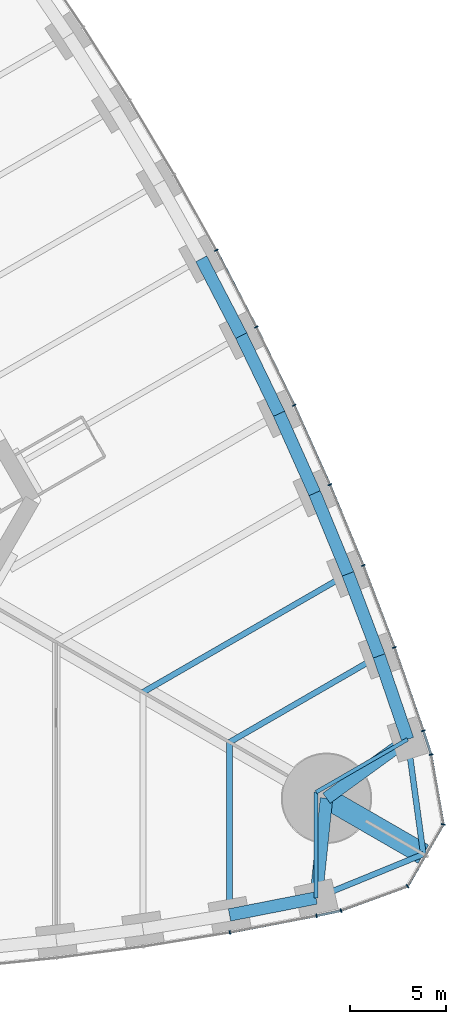
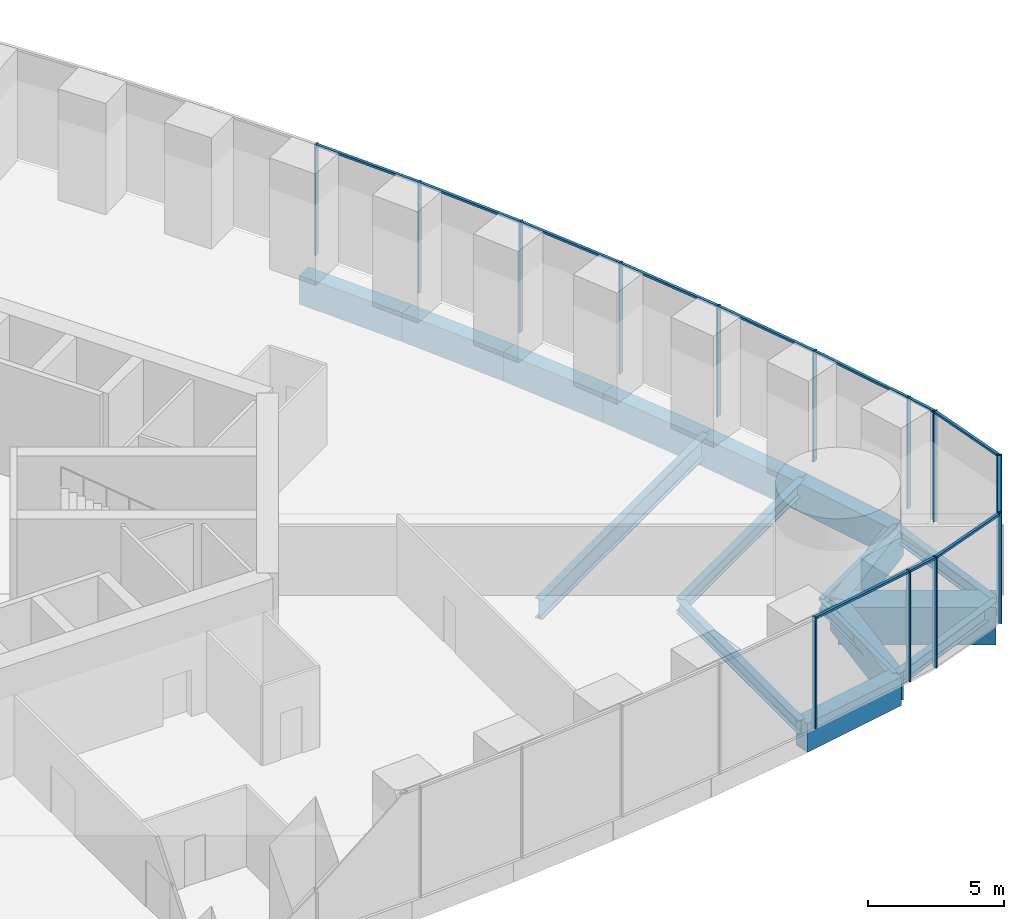
# One storey, part 11 of 21: 25 members, 17 beams, 3 elements without a shape of their own.
"""IFC4 building model written with IfcOpenShell, lengths in metres."""

import ifcopenshell
import ifcopenshell.guid

model = None  # the IFC model being written
_history = None  # IfcOwnerHistory: only IFC2X3 demands one
_inside = {}  # id of a spatial element -> (the spatial element, [elements in it])
_under = {}  # id of a project, library or spatial element -> (it, [spatial elements below it])
_declared = {}  # id of a project -> (the project, [libraries it declares])
_typed = {}  # id of a type object -> (the type object, [elements of that type])
_made_of = {}  # id of a material, layer set ... -> (it, [elements and type objects made of it])


def new_model(schema):
    """Start an empty IFC model of exactly this schema.

    Asked for "IFC4X3", IfcOpenShell would pick the latest addendum, in which some entities
    have other attributes; the version numbers below select the first issue.
    IFC2X3 requires an IfcOwnerHistory on every rooted entity: one is made here for all.
    """
    global model, _history
    if schema == "IFC4X3":
        model = ifcopenshell.file(schema_version=(4, 3, 0, 0))
    else:
        model = ifcopenshell.file(schema=schema)
    _inside.clear()
    _under.clear()
    _declared.clear()
    _typed.clear()
    _made_of.clear()
    _history = None
    if model.schema == "IFC2X3":
        org = make("IfcOrganization", Name="unknown")
        user = make(
            "IfcPersonAndOrganization",
            ThePerson=make("IfcPerson", FamilyName="unknown"),
            TheOrganization=org,
        )
        app = make(
            "IfcApplication",
            ApplicationDeveloper=org,
            Version="unknown",
            ApplicationFullName="unknown",
            ApplicationIdentifier="unknown",
        )
        _history = make(
            "IfcOwnerHistory",
            OwningUser=user,
            OwningApplication=app,
            ChangeAction="ADDED",
            CreationDate=0,
        )
    return model


def make(cls, **values):
    """One entity of the class cls with the attributes given. An attribute that is None is left unset."""
    return model.create_entity(
        cls, **{name: value for name, value in values.items() if value is not None}
    )


def rooted(cls, **values):
    """An entity with a GlobalId (a new one), such as an element, a storey or a relation."""
    return make(cls, GlobalId=ifcopenshell.guid.new(), OwnerHistory=_history, **values)


def si_unit(unit_type, name, prefix=None):
    """IfcSIUnit, for example si_unit("LENGTHUNIT", "METRE", prefix="MILLI")."""
    return make("IfcSIUnit", UnitType=unit_type, Prefix=prefix, Name=name)


def assignment(units):
    """IfcUnitAssignment: the units of a project."""
    return None if units is None else make("IfcUnitAssignment", Units=units)


def point(xyz):
    """IfcCartesianPoint."""
    return None if xyz is None else make("IfcCartesianPoint", Coordinates=xyz)


def direction(xyz):
    """IfcDirection."""
    return None if xyz is None else make("IfcDirection", DirectionRatios=xyz)


def frame(location, z_axis=None, x_axis=None):
    """IfcAxis2Placement3D, a coordinate frame: its origin and axes. An axis left out is left unset."""
    return make(
        "IfcAxis2Placement3D",
        Location=point(location),
        Axis=direction(z_axis),
        RefDirection=direction(x_axis),
    )


def frame_2d(location, x_axis=None):
    """IfcAxis2Placement2D, a coordinate frame in the plane: its origin and x axis."""
    return make(
        "IfcAxis2Placement2D", Location=point(location), RefDirection=direction(x_axis)
    )


def origin():
    """The frame at (0, 0, 0) with its axes left unset."""
    return frame((0.0, 0.0, 0.0))


def origin_2d():
    """The frame at (0, 0) in the plane with its x axis left unset."""
    return frame_2d((0.0, 0.0))


def place(relative_to, where):
    """IfcLocalPlacement: puts the frame where relative to a parent placement (None: the world)."""
    return make(
        "IfcLocalPlacement", PlacementRelTo=relative_to, RelativePlacement=where
    )


def context(
    kind, dimensions, precision=None, world=None, true_north=None, identifier=None
):
    """IfcGeometricRepresentationContext, for example the 3D "Model" context."""
    return make(
        "IfcGeometricRepresentationContext",
        ContextIdentifier=identifier,
        ContextType=kind,
        CoordinateSpaceDimension=dimensions,
        Precision=precision,
        WorldCoordinateSystem=world,
        TrueNorth=true_north,
    )


def subcontext(parent, identifier, kind, view, scale=None):
    """IfcGeometricRepresentationSubContext, for example "Body" below "Model"."""
    return make(
        "IfcGeometricRepresentationSubContext",
        ContextIdentifier=identifier,
        ContextType=kind,
        ParentContext=parent,
        TargetScale=scale,
        TargetView=view,
    )


def project(units=None, contexts=None):
    """IfcProject with its units and contexts."""
    return rooted(
        "IfcProject",
        Name="project",
        RepresentationContexts=contexts,
        UnitsInContext=assignment(units),
    )


def spatial(cls, under=None, at=None, **own):
    """A site, building, storey or space (cls), placed at a placement, below another one or the project."""
    s = rooted(cls, ObjectPlacement=at, **own)
    if under is not None:
        _under.setdefault(under.id(), (under, []))[1].append(s)
    return s


def profile(cls, at=None, kind="AREA", **sizes):
    """A parametric profile (cls). Its sizes go by their IFC names, for example OverallWidth=200.0."""
    return make(cls, ProfileType=kind, Position=at, **sizes)


def rectangle(**sizes):
    """IfcRectangleProfileDef."""
    return profile("IfcRectangleProfileDef", **sizes)


def i_section(**sizes):
    """IfcIShapeProfileDef."""
    return profile("IfcIShapeProfileDef", **sizes)


def extrude(swept, where, along, depth):
    """IfcExtrudedAreaSolid: the profile swept, set in the frame where, extruded along a direction by depth."""
    return make(
        "IfcExtrudedAreaSolid",
        SweptArea=swept,
        Position=where,
        ExtrudedDirection=direction(along),
        Depth=depth,
    )


def shape(context_of_items, identifier, shape_type, items):
    """IfcShapeRepresentation: the items that make up one representation, for example the "Body"."""
    return make(
        "IfcShapeRepresentation",
        ContextOfItems=context_of_items,
        RepresentationIdentifier=identifier,
        RepresentationType=shape_type,
        Items=items,
    )


def material(Name=None, Category=None):
    """IfcMaterial."""
    return make("IfcMaterial", Name=Name, Category=Category)


def material_profile(
    of_material, cross_section, Name=None, Category=None, Priority=None
):
    """IfcMaterialProfile: a cross section and its material."""
    return make(
        "IfcMaterialProfile",
        Name=Name,
        Material=of_material,
        Profile=cross_section,
        Priority=Priority,
        Category=Category,
    )


def profile_set(profiles, Name=None, composite=None):
    """IfcMaterialProfileSet."""
    return make(
        "IfcMaterialProfileSet",
        Name=Name,
        MaterialProfiles=profiles,
        CompositeProfile=composite,
    )


def made_of(thing, what):
    """Note that an element or type object is made of a material, layer set ...; save() writes the relation."""
    if what is not None:
        _made_of.setdefault(what.id(), (what, []))[1].append(thing)
    return thing


def type_object(cls, material=None, **own):
    """A type object (cls), such as IfcWallType, which elements share."""
    return made_of(rooted(cls, **own), material)


def element(
    cls,
    number,
    at=None,
    inside=None,
    cuts=None,
    type_object=None,
    material=None,
    context=None,
    identifier="Body",
    shape_type=None,
    held_by="IfcProductDefinitionShape",
    body=None,
    shapes=None,
    **own,
):
    """One element of the class cls, such as IfcWall. Its Tag is "e" and its number.

    at: its placement. inside: the storey or other place that contains it. cuts: it is an
    opening in that element (IfcRelVoidsElement). A single representation is given by context,
    identifier, shape_type and body (its items); several are given by shapes. held_by: the class
    of the entity that holds the representations. save() writes the other relations.
    """
    e = rooted(cls, Tag="e%d" % number, ObjectPlacement=at, **own)
    if body is not None:
        shapes = [shape(context, identifier, shape_type, body)]
    if shapes is not None:
        e.Representation = make(held_by, Representations=shapes)
    if inside is not None:
        _inside.setdefault(inside.id(), (inside, []))[1].append(e)
    if cuts is not None:
        rooted(
            "IfcRelVoidsElement", RelatingBuildingElement=cuts, RelatedOpeningElement=e
        )
    if type_object is not None:
        _typed.setdefault(type_object.id(), (type_object, []))[1].append(e)
    return made_of(e, material)


def aggregate(whole, parts):
    """IfcRelAggregates: a whole, such as a stair, and the parts it consists of."""
    return rooted("IfcRelAggregates", RelatingObject=whole, RelatedObjects=parts)


def save(model, path):
    """Write the relations noted so far, then the file.

    IfcRelAggregates (storeys below a building ...), IfcRelContainedInSpatialStructure (elements
    in a storey), IfcRelDefinesByType, IfcRelAssociatesMaterial and IfcRelDeclares: one each for
    every whole, place, type object, material and project.
    """
    for whole, parts in _under.values():
        aggregate(whole, parts)
    for where, things in _inside.values():
        rooted(
            "IfcRelContainedInSpatialStructure",
            RelatedElements=things,
            RelatingStructure=where,
        )
    for kind, things in _typed.values():
        rooted("IfcRelDefinesByType", RelatedObjects=things, RelatingType=kind)
    for what, things in _made_of.values():
        rooted("IfcRelAssociatesMaterial", RelatedObjects=things, RelatingMaterial=what)
    for by, libraries in _declared.values():
        rooted("IfcRelDeclares", RelatingContext=by, RelatedDefinitions=libraries)
    model.write(path)


model = new_model("IFC4")

# Units and contexts
model_context = context("Model", 3, precision=1e-05, world=origin(), true_north=direction((0.0, 1.0)))
body_context = subcontext(model_context, "Body", "Model", "MODEL_VIEW")
ifc_project = project(units=[si_unit("LENGTHUNIT", "METRE"), si_unit("AREAUNIT", "SQUARE_METRE"), si_unit("VOLUMEUNIT", "CUBIC_METRE"), si_unit("PLANEANGLEUNIT", "RADIAN"), si_unit("MASSUNIT", "GRAM", prefix="KILO")], contexts=[model_context])

# Site, building, storey
site_placement = place(None, origin())
site = spatial("IfcSite", under=ifc_project, at=site_placement, CompositionType="ELEMENT")
building_placement = place(site_placement, origin())
building = spatial("IfcBuilding", under=site, at=building_placement, Name="Trefoil Bronze Tower", CompositionType="ELEMENT")
storey_placement = place(building_placement, frame((0.0, 0.0, 6.5)))
storey = spatial("IfcBuildingStorey", under=building, at=storey_placement, Name="L01", CompositionType="ELEMENT", Elevation=6.5)

# Curtain wall, members
ifc_material_1 = material(Name="Tinted solar-control glass", Category="glass")
curtain_wall_type_1 = type_object("IfcCurtainWallType", Name="Bronze podium storefront curtain wall", PredefinedType="USERDEFINED", material=ifc_material_1)
curtain_wall_1_placement = place(storey_placement, origin())
curtain_wall_1 = element("IfcCurtainWall", 1, at=curtain_wall_1_placement, inside=storey, type_object=curtain_wall_type_1, Name="CW-C L01 F1", ObjectType="CURTAIN WALL", PredefinedType="USERDEFINED")
ifc_material_2 = material(Name="Bronze-finish aluminium", Category="aluminium")
ifc_material_profile_1 = material_profile(ifc_material_2, rectangle(XDim=0.199951171875, YDim=0.06005859375, at=origin_2d()), Name="CW-C mullion")
ifc_profile_set_1 = profile_set([ifc_material_profile_1], Name="Bronze-finish aluminium")
member_type_1 = type_object("IfcMemberType", Name="Bronze podium storefront curtain wall mullion", PredefinedType="MULLION", material=ifc_profile_set_1)
member_1_placement = place(storey_placement, frame((27.017333984375, -25.478759765625, 0.0), z_axis=(0.0, 0.0, 1.0), x_axis=(-0.174131146426, 0.984722470468, 0.0)))
member_1 = element("IfcMember", 2, at=member_1_placement, type_object=member_type_1, Name="CW-C L01 F1 mullion 15", PredefinedType="MULLION", context=body_context, shape_type="SweptSolid", body=[
    extrude(rectangle(XDim=0.199951171875, YDim=0.06005859375, at=origin_2d()), origin(), (0.0, 0.0, 1.0), 4.97998046875),
])
member_2_placement = place(storey_placement, frame((31.519775390625, -24.614013671875, 0.0), z_axis=(0.0, 0.0, 1.0), x_axis=(-0.197910006829, 0.98022019424, 0.0)))
member_2 = element("IfcMember", 3, at=member_2_placement, type_object=member_type_1, Name="CW-C L01 F1 mullion 16", PredefinedType="MULLION", context=body_context, shape_type="SweptSolid", body=[
    extrude(rectangle(XDim=0.199951171875, YDim=0.06005859375, at=origin_2d()), origin(), (0.0, 0.0, 1.0), 4.97998046875),
])

curtain_wall_2_placement = place(storey_placement, origin())
curtain_wall_2 = element("IfcCurtainWall", 4, at=curtain_wall_2_placement, inside=storey, type_object=curtain_wall_type_1, Name="CW-C L01 F2", ObjectType="CURTAIN WALL", PredefinedType="USERDEFINED")
member_3_placement = place(storey_placement, frame((37.076416015625, -14.989990234375, 0.0), z_axis=(0.0, 0.0, 1.0), x_axis=(-0.947850592929, -0.318715003543, 0.0)))
member_3 = element("IfcMember", 5, at=member_3_placement, type_object=member_type_1, Name="CW-C L01 F2 mullion 2", PredefinedType="MULLION", context=body_context, shape_type="SweptSolid", body=[
    extrude(rectangle(XDim=0.199951171875, YDim=0.06005859375, at=origin_2d()), origin(), (0.0, 0.0, 1.0), 4.97998046875),
])
member_4_placement = place(storey_placement, frame((35.573974609375, -10.658447265625, 0.0), z_axis=(0.0, 0.0, 1.0), x_axis=(-0.939860248316, -0.341559238839, 0.0)))
member_4 = element("IfcMember", 6, at=member_4_placement, type_object=member_type_1, Name="CW-C L01 F2 mullion 3", PredefinedType="MULLION", context=body_context, shape_type="SweptSolid", body=[
    extrude(rectangle(XDim=0.199951171875, YDim=0.06005859375, at=origin_2d()), origin(), (0.0, 0.0, 1.0), 4.97998046875),
])
member_5_placement = place(storey_placement, frame((33.953125, -6.394775390625, 0.0), z_axis=(0.0, 0.0, 1.0), x_axis=(-0.929413605838, -0.369039766534, 0.0)))
member_5 = element("IfcMember", 7, at=member_5_placement, type_object=member_type_1, Name="CW-C L01 F2 mullion 4", PredefinedType="MULLION", context=body_context, shape_type="SweptSolid", body=[
    extrude(rectangle(XDim=0.199951171875, YDim=0.06005859375, at=origin_2d()), origin(), (0.0, 0.0, 1.0), 4.97998046875),
])
member_6_placement = place(storey_placement, frame((32.21533203125, -2.198486328125, 0.0), z_axis=(0.0, 0.0, 1.0), x_axis=(-0.918213748442, -0.396085233469, 0.0)))
member_6 = element("IfcMember", 8, at=member_6_placement, type_object=member_type_1, Name="CW-C L01 F2 mullion 5", PredefinedType="MULLION", context=body_context, shape_type="SweptSolid", body=[
    extrude(rectangle(XDim=0.199951171875, YDim=0.06005859375, at=origin_2d()), origin(), (0.0, 0.0, 1.0), 4.97998046875),
])
member_7_placement = place(storey_placement, frame((30.36181640625, 1.930908203125, 0.0), z_axis=(0.0, 0.0, 1.0), x_axis=(-0.906269346572, -0.422700687798, 0.0)))
member_7 = element("IfcMember", 9, at=member_7_placement, type_object=member_type_1, Name="CW-C L01 F2 mullion 6", PredefinedType="MULLION", context=body_context, shape_type="SweptSolid", body=[
    extrude(rectangle(XDim=0.199951171875, YDim=0.06005859375, at=origin_2d()), origin(), (0.0, 0.0, 1.0), 4.97998046875),
])
member_8_placement = place(storey_placement, frame((28.39404296875, 5.994384765625, 0.0), z_axis=(0.0, 0.0, 1.0), x_axis=(-0.893587025891, -0.448889994497, 0.0)))
member_8 = element("IfcMember", 10, at=member_8_placement, type_object=member_type_1, Name="CW-C L01 F2 mullion 7", PredefinedType="MULLION", context=body_context, shape_type="SweptSolid", body=[
    extrude(rectangle(XDim=0.199951171875, YDim=0.06005859375, at=origin_2d()), origin(), (0.0, 0.0, 1.0), 4.97998046875),
])
member_9_placement = place(storey_placement, frame((26.3125, 9.991943359375, 0.0), z_axis=(0.0, 0.0, 1.0), x_axis=(-0.880171454588, -0.474655886437, 0.0)))
member_9 = element("IfcMember", 11, at=member_9_placement, type_object=member_type_1, Name="CW-C L01 F2 mullion 8", PredefinedType="MULLION", context=body_context, shape_type="SweptSolid", body=[
    extrude(rectangle(XDim=0.199951171875, YDim=0.06005859375, at=origin_2d()), origin(), (0.0, 0.0, 1.0), 4.97998046875),
])

# Member
ifc_material_3 = material(Name="Bronze-finish aluminium", Category="aluminium")
ifc_material_profile_2 = material_profile(ifc_material_3, rectangle(XDim=0.1201171875, YDim=0.10009765625, at=origin_2d()), Name="CW-C transom")
ifc_profile_set_2 = profile_set([ifc_material_profile_2], Name="Bronze-finish aluminium")
member_type_2 = type_object("IfcMemberType", Name="Bronze podium storefront curtain wall transom", PredefinedType="USERDEFINED", material=ifc_profile_set_2)
member_10_placement = place(storey_placement, frame((27.04833984375, -25.472900390625, 4.929931640625), z_axis=(0.982049163512, 0.18862513206, 0.0), x_axis=(-0.18862513206, 0.982049163512, 0.0)))
member_10 = element("IfcMember", 12, at=member_10_placement, type_object=member_type_2, Name="CW-C L01 F1 transom 15", ObjectType="TRANSOM", PredefinedType="USERDEFINED", context=body_context, shape_type="SweptSolid", body=[
    extrude(rectangle(XDim=0.1201171875, YDim=0.10009765625, at=origin_2d()), origin(), (0.0, 0.0, 1.0), 4.5224609375),
])

member_11_placement = place(storey_placement, frame((31.550048828125, -24.607666015625, 4.929931640625), z_axis=(0.978304864549, 0.207170441905, 0.0), x_axis=(-0.207170441905, 0.978304864549, 0.0)))
member_11 = element("IfcMember", 13, at=member_11_placement, type_object=member_type_2, Name="CW-C L01 F1 transom 16", ObjectType="TRANSOM", PredefinedType="USERDEFINED", context=body_context, shape_type="SweptSolid", body=[
    extrude(rectangle(XDim=0.1201171875, YDim=0.10009765625, at=origin_2d()), origin(), (0.0, 0.0, 1.0), 1.230224609375),
])

aggregate(curtain_wall_1, [member_1, member_2, member_10, member_11])

member_12_placement = place(storey_placement, frame((37.467041015625, -16.189208984375, 4.929931640625), z_axis=(-0.309732068556, 0.950823877334, 0.0), x_axis=(-0.950823877334, -0.309732068556, 0.0)))
member_12 = element("IfcMember", 14, at=member_12_placement, type_object=member_type_2, Name="CW-C L01 F2 transom 1", ObjectType="TRANSOM", PredefinedType="USERDEFINED", context=body_context, shape_type="SweptSolid", body=[
    extrude(rectangle(XDim=0.1201171875, YDim=0.10009765625, at=origin_2d()), origin(), (0.0, 0.0, 1.0), 1.23046875),
])

member_13_placement = place(storey_placement, frame((37.066162109375, -14.960693359375, 4.929931640625), z_axis=(-0.327638958875, 0.944803002021, 0.0), x_axis=(-0.944803002021, -0.327638958875, 0.0)))
member_13 = element("IfcMember", 15, at=member_13_placement, type_object=member_type_2, Name="CW-C L01 F2 transom 2", ObjectType="TRANSOM", PredefinedType="USERDEFINED", context=body_context, shape_type="SweptSolid", body=[
    extrude(rectangle(XDim=0.1201171875, YDim=0.10009765625, at=origin_2d()), origin(), (0.0, 0.0, 1.0), 4.522216796875),
])

member_14_placement = place(storey_placement, frame((35.562744140625, -10.62890625, 4.929931640625), z_axis=(-0.355324938334, 0.934742846026, 0.0), x_axis=(-0.934742846026, -0.355324938334, 0.0)))
member_14 = element("IfcMember", 16, at=member_14_placement, type_object=member_type_2, Name="CW-C L01 F2 transom 3", ObjectType="TRANSOM", PredefinedType="USERDEFINED", context=body_context, shape_type="SweptSolid", body=[
    extrude(rectangle(XDim=0.1201171875, YDim=0.10009765625, at=origin_2d()), origin(), (0.0, 0.0, 1.0), 4.498291015625),
])

member_15_placement = place(storey_placement, frame((33.94091796875, -6.36572265625, 4.929931640625), z_axis=(-0.382594106546, 0.923916527418, 0.0), x_axis=(-0.923916527418, -0.382594106546, 0.0)))
member_15 = element("IfcMember", 17, at=member_15_placement, type_object=member_type_2, Name="CW-C L01 F2 transom 4", ObjectType="TRANSOM", PredefinedType="USERDEFINED", context=body_context, shape_type="SweptSolid", body=[
    extrude(rectangle(XDim=0.1201171875, YDim=0.10009765625, at=origin_2d()), origin(), (0.0, 0.0, 1.0), 4.47900390625),
])

member_16_placement = place(storey_placement, frame((32.202392578125, -2.169921875, 4.929931640625), z_axis=(-0.409454767225, 0.91233041909, 0.0), x_axis=(-0.91233041909, -0.409454767225, 0.0)))
member_16 = element("IfcMember", 18, at=member_16_placement, type_object=member_type_2, Name="CW-C L01 F2 transom 5", ObjectType="TRANSOM", PredefinedType="USERDEFINED", context=body_context, shape_type="SweptSolid", body=[
    extrude(rectangle(XDim=0.1201171875, YDim=0.10009765625, at=origin_2d()), origin(), (0.0, 0.0, 1.0), 4.463623046875),
])

member_17_placement = place(storey_placement, frame((30.34814453125, 1.959228515625, 4.929931640625), z_axis=(-0.435859049912, 0.900014937992, 0.0), x_axis=(-0.900014937992, -0.435859049912, 0.0)))
member_17 = element("IfcMember", 19, at=member_17_placement, type_object=member_type_2, Name="CW-C L01 F2 transom 6", ObjectType="TRANSOM", PredefinedType="USERDEFINED", context=body_context, shape_type="SweptSolid", body=[
    extrude(rectangle(XDim=0.1201171875, YDim=0.10009765625, at=origin_2d()), origin(), (0.0, 0.0, 1.0), 4.451904296875),
])

member_18_placement = place(storey_placement, frame((28.379638671875, 6.022216796875, 4.929931640625), z_axis=(-0.461831786888, 0.886967530759, 0.0), x_axis=(-0.886967530759, -0.461831786888, 0.0)))
member_18 = element("IfcMember", 20, at=member_18_placement, type_object=member_type_2, Name="CW-C L01 F2 transom 7", ObjectType="TRANSOM", PredefinedType="USERDEFINED", context=body_context, shape_type="SweptSolid", body=[
    extrude(rectangle(XDim=0.1201171875, YDim=0.10009765625, at=origin_2d()), origin(), (0.0, 0.0, 1.0), 4.4443359375),
])

aggregate(curtain_wall_2, [member_3, member_4, member_5, member_6, member_7, member_8, member_9, member_12, member_13, member_14, member_15, member_16, member_17, member_18])

# Curtain wall, members
ifc_material_4 = material(Name="Tinted solar-control glass", Category="glass")
curtain_wall_type_2 = type_object("IfcCurtainWallType", Name="Bronze rounded corner curtain wall", PredefinedType="USERDEFINED", material=ifc_material_4)
curtain_wall_3_placement = place(storey_placement, origin())
curtain_wall_3 = element("IfcCurtainWall", 21, at=curtain_wall_3_placement, inside=storey, type_object=curtain_wall_type_2, Name="CW-B L01 K1", ObjectType="CURTAIN WALL", PredefinedType="USERDEFINED")
ifc_material_5 = material(Name="Bronze-finish aluminium", Category="aluminium")
ifc_material_profile_3 = material_profile(ifc_material_5, rectangle(XDim=0.199951171875, YDim=0.06005859375, at=origin_2d()), Name="CW-B mullion")
ifc_profile_set_3 = profile_set([ifc_material_profile_3], Name="Bronze-finish aluminium")
member_type_3 = type_object("IfcMemberType", Name="Bronze rounded corner curtain wall mullion", PredefinedType="MULLION", material=ifc_profile_set_3)
member_19_placement = place(storey_placement, frame((32.796630859375, -24.3427734375, 0.0), z_axis=(0.0, 0.0, 1.0), x_axis=(-0.342020143326, 0.939692620786, 0.0)))
member_19 = element("IfcMember", 22, at=member_19_placement, type_object=member_type_3, Name="CW-B L01 K1 mullion 1", PredefinedType="MULLION", context=body_context, shape_type="SweptSolid", body=[
    extrude(rectangle(XDim=0.199951171875, YDim=0.06005859375, at=origin_2d()), origin(), (0.0, 0.0, 1.0), 4.97998046875),
])
member_20_placement = place(storey_placement, frame((36.2548828125, -23.07763671875, 0.0), z_axis=(0.0, 0.0, 1.0), x_axis=(-0.642787609687, 0.766044443119, 0.0)))
member_20 = element("IfcMember", 23, at=member_20_placement, type_object=member_type_3, Name="CW-B L01 K1 mullion 2", PredefinedType="MULLION", context=body_context, shape_type="SweptSolid", body=[
    extrude(rectangle(XDim=0.199951171875, YDim=0.06005859375, at=origin_2d()), origin(), (0.0, 0.0, 1.0), 4.97998046875),
])
member_21_placement = place(storey_placement, frame((38.11328125, -19.85888671875, 0.0), z_axis=(0.0, 0.0, 1.0), x_axis=(-0.984807753012, 0.173648177667, 0.0)))
member_21 = element("IfcMember", 24, at=member_21_placement, type_object=member_type_3, Name="CW-B L01 K1 mullion 3", PredefinedType="MULLION", context=body_context, shape_type="SweptSolid", body=[
    extrude(rectangle(XDim=0.199951171875, YDim=0.06005859375, at=origin_2d()), origin(), (0.0, 0.0, 1.0), 4.97998046875),
])
member_22_placement = place(storey_placement, frame((37.479736328125, -16.2314453125, 0.0), z_axis=(0.0, 0.0, 1.0), x_axis=(-0.984807753012, -0.173648177667, 0.0)))
member_22 = element("IfcMember", 25, at=member_22_placement, type_object=member_type_3, Name="CW-B L01 K1 mullion 4", PredefinedType="MULLION", context=body_context, shape_type="SweptSolid", body=[
    extrude(rectangle(XDim=0.199951171875, YDim=0.06005859375, at=origin_2d()), origin(), (0.0, 0.0, 1.0), 4.97998046875),
])
ifc_material_6 = material(Name="Bronze-finish aluminium", Category="aluminium")
ifc_material_profile_4 = material_profile(ifc_material_6, rectangle(XDim=0.1201171875, YDim=0.10009765625, at=origin_2d()), Name="CW-B transom")
ifc_profile_set_4 = profile_set([ifc_material_profile_4], Name="Bronze-finish aluminium")
member_type_4 = type_object("IfcMemberType", Name="Bronze rounded corner curtain wall transom", PredefinedType="USERDEFINED", material=ifc_profile_set_4)
member_23_placement = place(storey_placement, frame((32.82470703125, -24.33251953125, 4.929931640625), z_axis=(0.939688092095, 0.342032585545, 0.0), x_axis=(-0.342032585545, 0.939688092095, 0.0)))
member_23 = element("IfcMember", 26, at=member_23_placement, type_object=member_type_4, Name="CW-B L01 K1 transom 1", ObjectType="TRANSOM", PredefinedType="USERDEFINED", context=body_context, shape_type="SweptSolid", body=[
    extrude(rectangle(XDim=0.1201171875, YDim=0.10009765625, at=origin_2d()), origin(), (0.0, 0.0, 1.0), 3.588134765625),
])
member_24_placement = place(storey_placement, frame((36.292236328125, -23.02490234375, 4.929931640625), z_axis=(0.500024788772, 0.866011091507, 0.0), x_axis=(-0.866011091507, 0.500024788772, 0.0)))
member_24 = element("IfcMember", 27, at=member_24_placement, type_object=member_type_4, Name="CW-B L01 K1 transom 2", ObjectType="TRANSOM", PredefinedType="USERDEFINED", context=body_context, shape_type="SweptSolid", body=[
    extrude(rectangle(XDim=0.1201171875, YDim=0.10009765625, at=origin_2d()), origin(), (0.0, 0.0, 1.0), 3.588134765625),
])
member_25_placement = place(storey_placement, frame((38.10791015625, -19.794677734375, 4.929931640625), z_axis=(-0.17363783606, 0.984809576461, 0.0), x_axis=(-0.984809576461, -0.17363783606, 0.0)))
member_25 = element("IfcMember", 28, at=member_25_placement, type_object=member_type_4, Name="CW-B L01 K1 transom 3", ObjectType="TRANSOM", PredefinedType="USERDEFINED", context=body_context, shape_type="SweptSolid", body=[
    extrude(rectangle(XDim=0.1201171875, YDim=0.10009765625, at=origin_2d()), origin(), (0.0, 0.0, 1.0), 3.588134765625),
])
aggregate(curtain_wall_3, [member_19, member_20, member_21, member_22, member_23, member_24, member_25])

# Beams
ifc_material_7 = material(Name="Concrete B80", Category="concrete")
ifc_material_profile_5 = material_profile(ifc_material_7, rectangle(XDim=1.10009765625, YDim=1.699951171875, at=origin_2d()), Name="RC 1100x1700")
ifc_profile_set_5 = profile_set([ifc_material_profile_5], Name="Concrete B80")
beam_type_1 = type_object("IfcBeamType", Name="Corner cantilever RC 1100x1700", PredefinedType="BEAM", material=ifc_profile_set_5)
beam_1_placement = place(storey_placement, frame((32.04296875, -18.5, -1.050048828125), z_axis=(0.866030348588, -0.499991435252, 0.0), x_axis=(0.499991435252, 0.866030348588, 0.0)))
element("IfcBeam", 29, at=beam_1_placement, inside=storey, type_object=beam_type_1, Name="Corner cantilever K1 L01", PredefinedType="BEAM", context=body_context, shape_type="SweptSolid", body=[
    extrude(rectangle(XDim=1.10009765625, YDim=1.699951171875, at=origin_2d()), origin(), (0.0, 0.0, 1.0), 5.81396484375),
])
ifc_material_8 = material(Name="Steel C355", Category="steel")
ifc_material_profile_6 = material_profile(ifc_material_8, i_section(OverallWidth=0.300048828125, OverallDepth=0.60009765625, WebThickness=0.015380859375, FlangeThickness=0.030029296875, FilletRadius=0.027099609375, at=origin_2d()), Name="HEB 600")
ifc_profile_set_6 = profile_set([ifc_material_profile_6], Name="Steel C355")
beam_type_2 = type_object("IfcBeamType", Name="Corner edge beam HEB 600", PredefinedType="BEAM", material=ifc_profile_set_6)
beam_2_placement = place(storey_placement, frame((31.5, -23.684814453125, -0.5), z_axis=(0.925786874353, 0.378045848114, 0.0), x_axis=(-0.378045848114, 0.925786874353, 0.0)))
element("IfcBeam", 30, at=beam_2_placement, inside=storey, type_object=beam_type_2, Name="Corner edge beam F1A L01", PredefinedType="BEAM", context=body_context, shape_type="SweptSolid", body=[
    extrude(i_section(OverallWidth=0.300048828125, OverallDepth=0.60009765625, WebThickness=0.015380859375, FlangeThickness=0.030029296875, FilletRadius=0.027099609375, at=origin_2d()), origin(), (0.0, 0.0, 1.0), 6.025390625),
])
beam_3_placement = place(storey_placement, frame((36.26171875, -15.4375, -0.5), z_axis=(0.13550196505, -0.990777077585, 0.0), x_axis=(0.990777077585, 0.13550196505, 0.0)))
element("IfcBeam", 31, at=beam_3_placement, inside=storey, type_object=beam_type_2, Name="Corner edge beam F2B L01", PredefinedType="BEAM", context=body_context, shape_type="SweptSolid", body=[
    extrude(i_section(OverallWidth=0.300048828125, OverallDepth=0.60009765625, WebThickness=0.015380859375, FlangeThickness=0.030029296875, FilletRadius=0.027099609375, at=origin_2d()), origin(), (0.0, 0.0, 1.0), 6.025146484375),
])
ifc_material_9 = material(Name="Concrete B80", Category="concrete")
ifc_material_profile_7 = material_profile(ifc_material_9, rectangle(XDim=0.64990234375, YDim=1.300048828125, at=origin_2d()), Name="RC 650x1300")
ifc_profile_set_7 = profile_set([ifc_material_profile_7], Name="Concrete B80")
beam_type_3 = type_object("IfcBeamType", Name="End spandrel beam RC 650x1300", PredefinedType="SPANDREL", material=ifc_profile_set_7)
for number, where, z_axis, x_axis, name in (
    (32, (31.5, -23.684814453125, -0.85009765625), (0.104153327908, 0.994561252154, 0.0), (-0.994561252154, 0.104153327908, 0.0), "Spandrel F1.16 L01"),
    (33, (32.04296875, -18.5, -0.85009765625), (0.809254211267, 0.587458612624, 0.0), (-0.587458612624, 0.809254211267, 0.0), "Spandrel F2.1 L01"),
):
    element("IfcBeam", number, at=place(storey_placement, frame(where, z_axis=z_axis, x_axis=x_axis)), inside=storey, type_object=beam_type_3, Name=name, PredefinedType="SPANDREL", context=body_context, shape_type="SweptSolid", body=[
        extrude(rectangle(XDim=0.64990234375, YDim=1.300048828125, at=origin_2d()), origin(), (0.0, 0.0, 1.0), 5.213134765625),
    ])
ifc_material_10 = material(Name="Steel C355", Category="steel")
ifc_material_profile_8 = material_profile(ifc_material_10, i_section(OverallWidth=0.300048828125, OverallDepth=0.60009765625, WebThickness=0.015380859375, FlangeThickness=0.030029296875, FilletRadius=0.027099609375, at=origin_2d()), Name="HEB 600")
ifc_profile_set_8 = profile_set([ifc_material_profile_8], Name="Steel C355")
beam_type_4 = type_object("IfcBeamType", Name="Floor beam HEB 600", PredefinedType="BEAM", material=ifc_profile_set_8)
for number, where, z_axis, x_axis, name in (
    (34, (27.0, -24.56787109375, -0.5), (0.0, 1.0, 0.0), (-1.0, 0.0, 0.0), "Floor beam F1/+6 L01"),
    (35, (34.7763671875, -11.0986328125, -0.5), (-0.866022587327, -0.500004878216, 0.0), (0.500004878216, -0.866022587327, 0.0), "Floor beam F2/-6 L01"),
):
    element("IfcBeam", number, at=place(storey_placement, frame(where, z_axis=z_axis, x_axis=x_axis)), inside=storey, type_object=beam_type_4, Name=name, PredefinedType="BEAM", context=body_context, shape_type="SweptSolid", body=[
        extrude(i_section(OverallWidth=0.300048828125, OverallDepth=0.60009765625, WebThickness=0.015380859375, FlangeThickness=0.030029296875, FilletRadius=0.027099609375, at=origin_2d()), origin(), (0.0, 0.0, 1.0), 8.9794921875),
    ])
ifc_material_11 = material(Name="Steel C355", Category="steel")
ifc_material_profile_9 = material_profile(ifc_material_11, i_section(OverallWidth=0.300048828125, OverallDepth=0.89990234375, WebThickness=0.0185546875, FlangeThickness=0.034912109375, FilletRadius=0.030029296875, at=origin_2d()), Name="HEB 900")
ifc_profile_set_9 = profile_set([ifc_material_profile_9], Name="Steel C355")
beam_type_5 = type_object("IfcBeamType", Name="Floor beam HEB 900", PredefinedType="BEAM", material=ifc_profile_set_9)
beam_4_placement = place(storey_placement, frame((33.159912109375, -6.8359375, -0.64990234375), z_axis=(-0.866024070878, -0.500002308654, 0.0), x_axis=(0.500002308654, -0.866024070878, 0.0)))
element("IfcBeam", 36, at=beam_4_placement, inside=storey, type_object=beam_type_5, Name="Floor beam F2/-5 L01", PredefinedType="BEAM", context=body_context, shape_type="SweptSolid", body=[
    extrude(i_section(OverallWidth=0.300048828125, OverallDepth=0.89990234375, WebThickness=0.0185546875, FlangeThickness=0.034912109375, FilletRadius=0.030029296875, at=origin_2d()), origin(), (0.0, 0.0, 1.0), 12.30908203125),
])
ifc_material_12 = material(Name="Steel C355", Category="steel")
ifc_material_profile_10 = material_profile(ifc_material_12, i_section(OverallWidth=0.199951171875, OverallDepth=0.5, WebThickness=0.01025390625, FlangeThickness=0.01611328125, FilletRadius=0.02099609375, at=origin_2d()), Name="IPE 500")
ifc_profile_set_10 = profile_set([ifc_material_profile_10], Name="Steel C355")
beam_type_6 = type_object("IfcBeamType", Name="Floor beam IPE 500", PredefinedType="BEAM", material=ifc_profile_set_10)
for number, where, z_axis, x_axis, name in (
    (37, (31.5, -23.684814453125, -0.449951171875), (0.0, 1.0, 0.0), (-1.0, 0.0, 0.0), "Floor beam F1/+7 L01"),
    (38, (36.26171875, -15.4375, -0.449951171875), (-0.866037702141, -0.499978698016, 0.0), (0.499978698016, -0.866037702141, 0.0), "Floor beam F2/-7 L01"),
):
    element("IfcBeam", number, at=place(storey_placement, frame(where, z_axis=z_axis, x_axis=x_axis)), inside=storey, type_object=beam_type_6, Name=name, PredefinedType="BEAM", context=body_context, shape_type="SweptSolid", body=[
        extrude(i_section(OverallWidth=0.199951171875, OverallDepth=0.5, WebThickness=0.01025390625, FlangeThickness=0.01611328125, FilletRadius=0.02099609375, at=origin_2d()), origin(), (0.0, 0.0, 1.0), 5.498291015625),
    ])
ifc_material_13 = material(Name="Concrete B80", Category="concrete")
ifc_material_profile_11 = material_profile(ifc_material_13, rectangle(XDim=0.64990234375, YDim=1.300048828125, at=origin_2d()), Name="RC 650x1300")
ifc_profile_set_11 = profile_set([ifc_material_profile_11], Name="Concrete B80")
beam_type_7 = type_object("IfcBeamType", Name="Spandrel beam RC 650x1300", PredefinedType="SPANDREL", material=ifc_profile_set_11)
beam_5_placement = place(storey_placement, frame((27.0, -24.56787109375, -0.85009765625), z_axis=(0.981284764092, 0.192562228283, 0.0), x_axis=(-0.192562228283, 0.981284764092, 0.0)))
element("IfcBeam", 39, at=beam_5_placement, inside=storey, type_object=beam_type_7, Name="Spandrel F1.15 L01", PredefinedType="SPANDREL", context=body_context, shape_type="SweptSolid", body=[
    extrude(rectangle(XDim=0.64990234375, YDim=1.300048828125, at=origin_2d()), origin(), (0.0, 0.0, 1.0), 4.5859375),
])
beam_6_placement = place(storey_placement, frame((36.26171875, -15.4375, -0.85009765625), z_axis=(-0.323883319148, 0.946097032855, 0.0), x_axis=(-0.946097032855, -0.323883319148, 0.0)))
element("IfcBeam", 40, at=beam_6_placement, inside=storey, type_object=beam_type_7, Name="Spandrel F2.2 L01", PredefinedType="SPANDREL", context=body_context, shape_type="SweptSolid", body=[
    extrude(rectangle(XDim=0.64990234375, YDim=1.300048828125, at=origin_2d()), origin(), (0.0, 0.0, 1.0), 4.586181640625),
])
beam_7_placement = place(storey_placement, frame((34.7763671875, -11.0986328125, -0.85009765625), z_axis=(-0.354571899767, 0.935028752443, 0.0), x_axis=(-0.935028752443, -0.354571899767, 0.0)))
element("IfcBeam", 41, at=beam_7_placement, inside=storey, type_object=beam_type_7, Name="Spandrel F2.3 L01", PredefinedType="SPANDREL", context=body_context, shape_type="SweptSolid", body=[
    extrude(rectangle(XDim=0.64990234375, YDim=1.300048828125, at=origin_2d()), origin(), (0.0, 0.0, 1.0), 4.558837890625),
])
beam_8_placement = place(storey_placement, frame((33.159912109375, -6.8359375, -0.85009765625), z_axis=(-0.382020825144, 0.924153715113, 0.0), x_axis=(-0.924153715113, -0.382020825144, 0.0)))
element("IfcBeam", 42, at=beam_8_placement, inside=storey, type_object=beam_type_7, Name="Spandrel F2.4 L01", PredefinedType="SPANDREL", context=body_context, shape_type="SweptSolid", body=[
    extrude(rectangle(XDim=0.64990234375, YDim=1.300048828125, at=origin_2d()), origin(), (0.0, 0.0, 1.0), 4.539306640625),
])
beam_9_placement = place(storey_placement, frame((31.42578125, -2.640869140625, -0.85009765625), z_axis=(-0.408945873044, 0.912558640812, 0.0), x_axis=(-0.912558640812, -0.408945873044, 0.0)))
element("IfcBeam", 43, at=beam_9_placement, inside=storey, type_object=beam_type_7, Name="Spandrel F2.5 L01", PredefinedType="SPANDREL", context=body_context, shape_type="SweptSolid", body=[
    extrude(rectangle(XDim=0.64990234375, YDim=1.300048828125, at=origin_2d()), origin(), (0.0, 0.0, 1.0), 4.5234375),
])
beam_10_placement = place(storey_placement, frame((29.575927734375, 1.487060546875, -0.85009765625), z_axis=(-0.435510013583, 0.900183885697, 0.0), x_axis=(-0.900183885697, -0.435510013583, 0.0)))
element("IfcBeam", 44, at=beam_10_placement, inside=storey, type_object=beam_type_7, Name="Spandrel F2.6 L01", PredefinedType="SPANDREL", context=body_context, shape_type="SweptSolid", body=[
    extrude(rectangle(XDim=0.64990234375, YDim=1.300048828125, at=origin_2d()), origin(), (0.0, 0.0, 1.0), 4.51220703125),
])
beam_11_placement = place(storey_placement, frame((27.61083984375, 5.548828125, -0.85009765625), z_axis=(-0.461637716615, 0.887068553495, 0.0), x_axis=(-0.887068553495, -0.461637716615, 0.0)))
element("IfcBeam", 45, at=beam_11_placement, inside=storey, type_object=beam_type_7, Name="Spandrel F2.7 L01", PredefinedType="SPANDREL", context=body_context, shape_type="SweptSolid", body=[
    extrude(rectangle(XDim=0.64990234375, YDim=1.300048828125, at=origin_2d()), origin(), (0.0, 0.0, 1.0), 4.50439453125),
])

save(model, "model.ifc")
